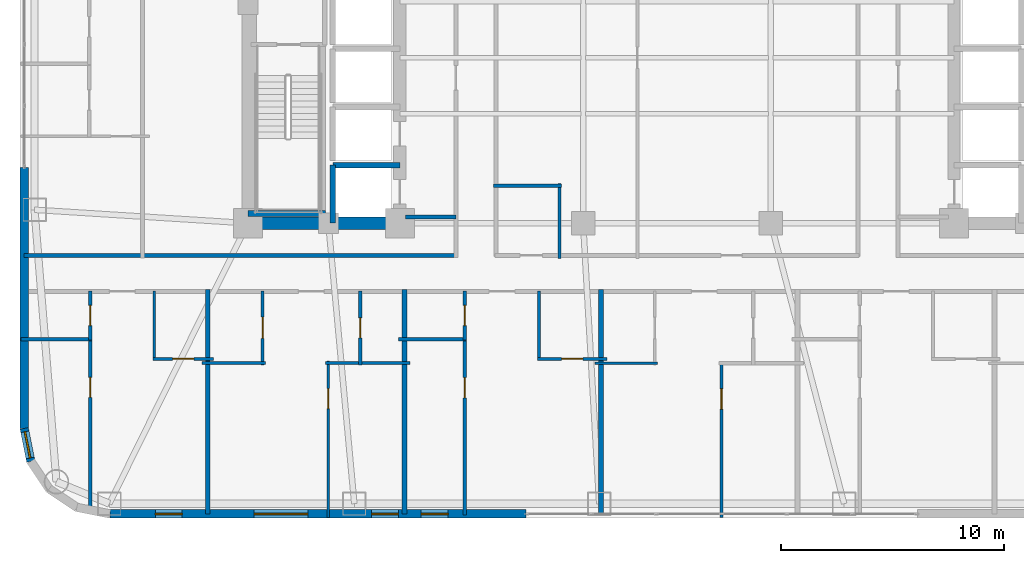
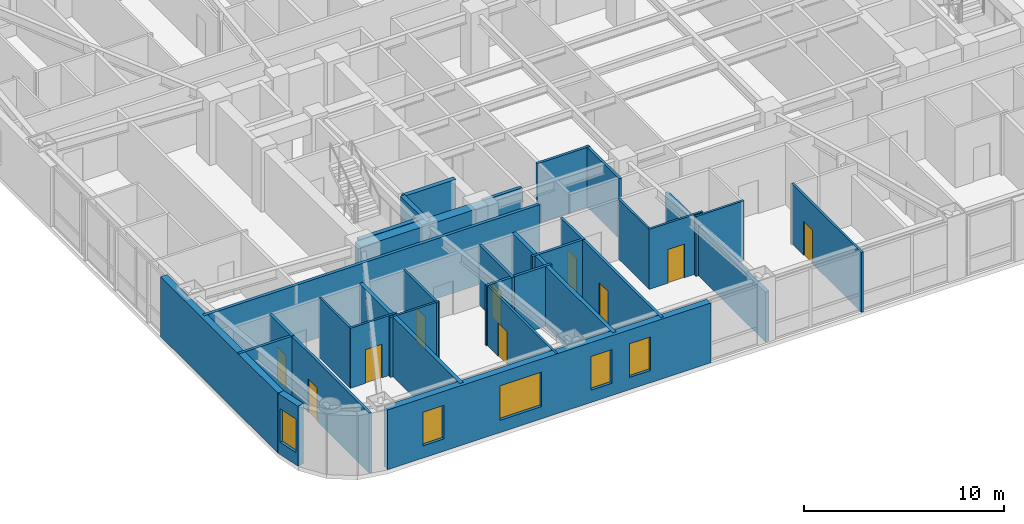
# One storey, part 20 of 28: 31 walls, 10 doors, 5 windows, 15 openings.
"""IFC4 building model written with IfcOpenShell, lengths in metres."""

from ifc_helpers import new_model, si_unit, direction, frame, frame_2d, origin, place, context, subcontext, project, spatial, rectangle, extrude, material, layer, layer_set, type_object, element, fill, save


model = new_model("IFC4")

# Units and contexts
model_context = context("Model", 3, precision=1e-05, world=origin(), true_north=direction((0.0, 1.0)))
body_context = subcontext(model_context, "Body", "Model", "MODEL_VIEW")
ifc_project = project(units=[si_unit("LENGTHUNIT", "METRE"), si_unit("AREAUNIT", "SQUARE_METRE"), si_unit("VOLUMEUNIT", "CUBIC_METRE"), si_unit("PLANEANGLEUNIT", "RADIAN"), si_unit("MASSUNIT", "GRAM", prefix="KILO")], contexts=[model_context])

# Site, building, storey
site_placement = place(None, origin())
site = spatial("IfcSite", under=ifc_project, at=site_placement, CompositionType="ELEMENT")
building_placement = place(site_placement, origin())
building = spatial("IfcBuilding", under=site, at=building_placement, Name="Voryun Gate Residences", CompositionType="ELEMENT")
storey_placement = place(building_placement, frame((0.0, 0.0, 117.0)))
storey = spatial("IfcBuildingStorey", under=building, at=storey_placement, Name="L28", CompositionType="ELEMENT", Elevation=117.0)

# Walls
ifc_material_1 = material(Name="Concrete C60/75", Category="concrete")
ifc_layer_1 = layer(ifc_material_1, 0.550048828125, Name="CW_CORE_550")
ifc_layer_set_1 = layer_set([ifc_layer_1], Name="Concrete C60/75")
wall_type_1 = type_object("IfcWallType", Name="CW_CORE_550", PredefinedType="SHEAR", material=ifc_layer_set_1)
wall_1_placement = place(storey_placement, frame((-19.47509765625, -7.39990234375, 0.0), z_axis=(0.0, 0.0, 1.0), x_axis=(1.0, 0.0, 0.0)))
element("IfcWall", 1, at=wall_1_placement, inside=storey, type_object=wall_type_1, Name="L28 Core shear wall CW-L28-WS", PredefinedType="SHEAR", context=body_context, shape_type="SweptSolid", body=[
    extrude(rectangle(XDim=7.35009765625, YDim=0.550048828125, at=frame_2d((3.675048828125, 0.0))), origin(), (0.0, 0.0, 1.0), 3.64990234375),
])
ifc_material_2 = material(Name="Gypsum acoustic fireboard")
ifc_layer_2 = layer(ifc_material_2, 0.179931640625, Name="W_CORR_RATED_180")
ifc_layer_set_2 = layer_set([ifc_layer_2], Name="Gypsum acoustic fireboard")
wall_type_2 = type_object("IfcWallType", Name="W_CORR_RATED_180", PredefinedType="PARTITIONING", material=ifc_layer_set_2)
wall_2_placement = place(storey_placement, frame((-12.14990234375, -7.1201171875, 0.0), z_axis=(0.0, 0.0, 1.0), x_axis=(1.0, 0.0, 0.0)))
element("IfcWall", 2, at=wall_2_placement, inside=storey, type_object=wall_type_2, Name="Partition wall WP-L28-PLBS-W", PredefinedType="PARTITIONING", context=body_context, shape_type="SweptSolid", body=[
    extrude(rectangle(XDim=2.27001953125, YDim=0.179931640625, at=frame_2d((1.135009765625, 0.0))), origin(), (0.0, 0.0, 1.0), 3.64990234375),
])
wall_3_placement = place(storey_placement, frame((-29.2099609375, -8.840087890625, 0.0), z_axis=(0.0, 0.0, 1.0), x_axis=(1.0, 0.0, 0.0)))
element("IfcWall", 3, at=wall_3_placement, inside=storey, type_object=wall_type_2, Name="Partition wall WP-L28-CWING-WS", PredefinedType="PARTITIONING", context=body_context, shape_type="SweptSolid", body=[
    extrude(rectangle(XDim=19.330078125, YDim=0.179931640625, at=frame_2d((9.6650390625, 0.0))), origin(), (0.0, 0.0, 1.0), 3.64990234375),
])

# Wall, openings, windows
ifc_material_3 = material(Name="Granite masonry", Category="masonry")
ifc_layer_3 = layer(ifc_material_3, 0.3798828125, Name="W_EXT_GRANITE_380")
ifc_layer_set_3 = layer_set([ifc_layer_3], Name="Granite masonry")
wall_type_3 = type_object("IfcWallType", Name="W_EXT_GRANITE_380", PredefinedType="ELEMENTEDWALL", material=ifc_layer_set_3)
wall_4_placement = place(storey_placement, frame((-6.761962890625, -20.409912109375, 0.0), z_axis=(0.0, 0.0, 1.0), x_axis=(-1.0, 0.0, 0.0)))
wall_4 = element("IfcWall", 4, at=wall_4_placement, inside=storey, type_object=wall_type_3, Name="Exterior wall WEXT-L28-01B", PredefinedType="ELEMENTEDWALL", context=body_context, shape_type="SweptSolid", body=[
    extrude(rectangle(XDim=18.619384765625, YDim=0.3798828125, at=frame_2d((9.3095703125, 0.0))), origin(), (0.0, 0.0, 1.0), 3.64990234375),
])
opening_1_placement = place(wall_4_placement, frame((9.759521484375, 0.0, 0.75)))
opening_1 = element("IfcOpeningElement", 5, at=opening_1_placement, cuts=wall_4, Name="Opening WN2", PredefinedType="OPENING", context=body_context, shape_type="SweptSolid", body=[
    extrude(rectangle(XDim=2.39990234375, YDim=2.10009765625, at=frame_2d((1.199951171875, 1.050048828125))), frame((0.0, 0.199951171875, 0.0), z_axis=(0.0, -1.0, 0.0), x_axis=(1.0, 0.0, 0.0)), (0.0, 0.0, 1.0), 0.39990234375),
])
opening_2_placement = place(wall_4_placement, frame((15.383544921875, 0.0, 0.75)))
opening_2 = element("IfcOpeningElement", 6, at=opening_2_placement, cuts=wall_4, Name="Opening WN6", PredefinedType="OPENING", context=body_context, shape_type="SweptSolid", body=[
    extrude(rectangle(XDim=1.199951171875, YDim=2.050048828125, at=frame_2d((0.60009765625, 1.02490234375))), frame((0.0, 0.199951171875, 0.0), z_axis=(0.0, -1.0, 0.0), x_axis=(1.0, 0.0, 0.0)), (0.0, 0.0, 1.0), 0.39990234375),
])
opening_3_placement = place(wall_4_placement, frame((5.702880859375, 0.0, 0.75)))
opening_3 = element("IfcOpeningElement", 7, at=opening_3_placement, cuts=wall_4, Name="Opening WN6", PredefinedType="OPENING", context=body_context, shape_type="SweptSolid", body=[
    extrude(rectangle(XDim=1.199951171875, YDim=2.050048828125, at=frame_2d((0.60009765625, 1.02490234375))), frame((0.0, 0.199951171875, 0.0), z_axis=(0.0, -1.0, 0.0), x_axis=(1.0, 0.0, 0.0)), (0.0, 0.0, 1.0), 0.39990234375),
])
opening_4_placement = place(wall_4_placement, frame((3.48291015625, 0.0, 0.75)))
opening_4 = element("IfcOpeningElement", 8, at=opening_4_placement, cuts=wall_4, Name="Opening WN6", PredefinedType="OPENING", context=body_context, shape_type="SweptSolid", body=[
    extrude(rectangle(XDim=1.199951171875, YDim=2.050048828125, at=frame_2d((0.60009765625, 1.02490234375))), frame((0.0, 0.199951171875, 0.0), z_axis=(0.0, -1.0, 0.0), x_axis=(1.0, 0.0, 0.0)), (0.0, 0.0, 1.0), 0.39990234375),
])
ifc_material_4 = material(Name="Laminated low-E glass", Category="glass")
window_type_1 = type_object("IfcWindowType", Name="WN_POD_SLOT_1200", PartitioningType="SINGLE_PANEL", PredefinedType="WINDOW", material=ifc_material_4)
window_1_placement = place(opening_2_placement, origin())
window_1 = element("IfcWindow", 9, at=window_1_placement, inside=storey, type_object=window_type_1, Name="Window WN-L28-DWFIX-12", OverallHeight=2.050048828125, OverallWidth=1.199951171875, PartitioningType="SINGLE_PANEL", PredefinedType="WINDOW", context=body_context, shape_type="SweptSolid", body=[
    extrude(rectangle(XDim=1.199951171875, YDim=2.050048828125, at=frame_2d((0.60009765625, 1.02490234375))), frame((0.0, 0.030029296875, 0.0), z_axis=(0.0, -1.0, 0.0), x_axis=(1.0, 0.0, 0.0)), (0.0, 0.0, 1.0), 0.06005859375),
])
fill(opening_2, window_1)
window_2_placement = place(opening_3_placement, origin())
window_2 = element("IfcWindow", 10, at=window_2_placement, inside=storey, type_object=window_type_1, Name="Window WN-L28-DWFIX-13", OverallHeight=2.050048828125, OverallWidth=1.199951171875, PartitioningType="SINGLE_PANEL", PredefinedType="WINDOW", context=body_context, shape_type="SweptSolid", body=[
    extrude(rectangle(XDim=1.199951171875, YDim=2.050048828125, at=frame_2d((0.60009765625, 1.02490234375))), frame((0.0, 0.030029296875, 0.0), z_axis=(0.0, -1.0, 0.0), x_axis=(1.0, 0.0, 0.0)), (0.0, 0.0, 1.0), 0.06005859375),
])
fill(opening_3, window_2)
window_3_placement = place(opening_4_placement, origin())
window_3 = element("IfcWindow", 11, at=window_3_placement, inside=storey, type_object=window_type_1, Name="Window WN-L28-DWFIX-14", OverallHeight=2.050048828125, OverallWidth=1.199951171875, PartitioningType="SINGLE_PANEL", PredefinedType="WINDOW", context=body_context, shape_type="SweptSolid", body=[
    extrude(rectangle(XDim=1.199951171875, YDim=2.050048828125, at=frame_2d((0.60009765625, 1.02490234375))), frame((0.0, 0.030029296875, 0.0), z_axis=(0.0, -1.0, 0.0), x_axis=(1.0, 0.0, 0.0)), (0.0, 0.0, 1.0), 0.06005859375),
])
fill(opening_4, window_3)
ifc_material_5 = material(Name="Laminated low-E glass", Category="glass")
window_type_2 = type_object("IfcWindowType", Name="WN_RES_WIDE_2400", PartitioningType="SINGLE_PANEL", PredefinedType="WINDOW", material=ifc_material_5)
window_4_placement = place(opening_1_placement, origin())
window_4 = element("IfcWindow", 12, at=window_4_placement, inside=storey, type_object=window_type_2, Name="Window WN-WEXT-L28-01B-01", OverallHeight=2.10009765625, OverallWidth=2.39990234375, PartitioningType="SINGLE_PANEL", PredefinedType="WINDOW", context=body_context, shape_type="SweptSolid", body=[
    extrude(rectangle(XDim=2.39990234375, YDim=2.10009765625, at=frame_2d((1.199951171875, 1.050048828125))), frame((0.0, 0.030029296875, 0.0), z_axis=(0.0, -1.0, 0.0), x_axis=(1.0, 0.0, 0.0)), (0.0, 0.0, 1.0), 0.06005859375),
])
fill(opening_1, window_4)

# Wall, opening, window
wall_5_placement = place(storey_placement, frame((-28.91650390625, -18.056640625, 0.0), z_axis=(0.0, 0.0, 1.0), x_axis=(-0.195086038585, 0.980786132421, 0.0)))
wall_5 = element("IfcWall", 13, at=wall_5_placement, inside=storey, type_object=wall_type_3, Name="Exterior wall WEXT-L28-05", PredefinedType="ELEMENTEDWALL", context=body_context, shape_type="SweptSolid", body=[
    extrude(rectangle(XDim=1.504150390625, YDim=0.3798828125, at=frame_2d((0.751953125, 0.0))), origin(), (0.0, 0.0, 1.0), 3.64990234375),
])
opening_5_placement = place(wall_5_placement, frame((0.152099609375, 0.0, 0.75)))
opening_5 = element("IfcOpeningElement", 14, at=opening_5_placement, cuts=wall_5, Name="Opening WN6", PredefinedType="OPENING", context=body_context, shape_type="SweptSolid", body=[
    extrude(rectangle(XDim=1.199951171875, YDim=2.050048828125, at=frame_2d((0.60009765625, 1.02490234375))), frame((0.0, 0.199951171875, 0.0), z_axis=(0.0, -1.0, 0.0), x_axis=(1.0, 0.0, 0.0)), (0.0, 0.0, 1.0), 0.39990234375),
])
window_5_placement = place(opening_5_placement, origin())
window_5 = element("IfcWindow", 15, at=window_5_placement, inside=storey, type_object=window_type_1, Name="Window WN-L28-DWFIX-11", OverallHeight=2.050048828125, OverallWidth=1.199951171875, PartitioningType="SINGLE_PANEL", PredefinedType="WINDOW", context=body_context, shape_type="SweptSolid", body=[
    extrude(rectangle(XDim=1.199951171875, YDim=2.050048828125, at=frame_2d((0.60009765625, 1.02490234375))), frame((0.0, 0.030029296875, 0.0), z_axis=(0.0, -1.0, 0.0), x_axis=(1.0, 0.0, 0.0)), (0.0, 0.0, 1.0), 0.06005859375),
])
fill(opening_5, window_5)

# Walls
wall_6_placement = place(storey_placement, frame((-29.2099609375, -16.581298828125, 0.0), z_axis=(0.0, 0.0, 1.0), x_axis=(0.0, 1.0, 0.0)))
element("IfcWall", 16, at=wall_6_placement, inside=storey, type_object=wall_type_3, Name="Exterior wall WEXT-L28-06A", PredefinedType="ELEMENTEDWALL", context=body_context, shape_type="SweptSolid", body=[
    extrude(rectangle(XDim=11.683349609375, YDim=0.3798828125, at=frame_2d((5.841796875, 0.0))), origin(), (0.0, 0.0, 1.0), 3.64990234375),
])
ifc_material_6 = material(Name="Concrete C40/50", Category="concrete")
ifc_layer_4 = layer(ifc_material_6, 0.219970703125, Name="W_PARTY_ACOUSTIC_220")
ifc_layer_set_4 = layer_set([ifc_layer_4], Name="Concrete C40/50")
wall_type_4 = type_object("IfcWallType", Name="W_PARTY_ACOUSTIC_220", PredefinedType="PARTITIONING", material=ifc_layer_set_4)
for number, where, z_axis, x_axis, name in (
    (17, (-21.0, -20.409912109375, 0.0), (0.0, 0.0, 1.0), (0.0, 1.0, 0.0), "Partition wall WP-L28-SPTY-1"),
    (18, (-12.199951171875, -20.409912109375, 0.0), (0.0, 0.0, 1.0), (0.0, 1.0, 0.0), "Partition wall WP-L28-SPTY-2"),
):
    element("IfcWall", number, at=place(storey_placement, frame(where, z_axis=z_axis, x_axis=x_axis)), inside=storey, type_object=wall_type_4, Name=name, PredefinedType="PARTITIONING", context=body_context, shape_type="SweptSolid", body=[
        extrude(rectangle(XDim=10.039794921875, YDim=0.219970703125, at=frame_2d((5.02001953125, 0.0))), origin(), (0.0, 0.0, 1.0), 3.64990234375),
    ])
wall_7_placement = place(storey_placement, frame((-3.39990234375, -20.409912109375, 0.0), z_axis=(0.0, 0.0, 1.0), x_axis=(0.0, 1.0, 0.0)))
element("IfcWall", 19, at=wall_7_placement, inside=storey, type_object=wall_type_4, Name="Partition wall WP-L28-SPTY-3", PredefinedType="PARTITIONING", context=body_context, shape_type="SweptSolid", body=[
    extrude(rectangle(XDim=10.039794921875, YDim=0.219970703125, at=frame_2d((5.02001953125, 0.0))), origin(), (0.0, 0.0, 1.0), 3.0400390625),
])
ifc_material_7 = material(Name="Concrete C50/60", Category="concrete")
ifc_layer_5 = layer(ifc_material_7, 0.25, Name="W_SHAFT_RC250")
ifc_layer_set_5 = layer_set([ifc_layer_5], Name="Concrete C50/60")
wall_type_5 = type_object("IfcWallType", Name="W_SHAFT_RC250", PredefinedType="SOLIDWALL", material=ifc_layer_set_5)
wall_8_placement = place(storey_placement, frame((-19.199951171875, -6.965087890625, 0.0), z_axis=(0.0, 0.0, 1.0), x_axis=(1.0, 0.0, 0.0)))
element("IfcWall", 20, at=wall_8_placement, inside=storey, type_object=wall_type_5, Name="L28 Stair shaft structural wall W-STS", PredefinedType="SOLIDWALL", context=body_context, shape_type="SweptSolid", body=[
    extrude(rectangle(XDim=3.4599609375, YDim=0.25, at=frame_2d((1.72998046875, 0.0))), origin(), (0.0, 0.0, 1.0), 3.64990234375),
])
wall_9_placement = place(storey_placement, frame((-12.39990234375, -4.800048828125, 0.0), z_axis=(0.0, 0.0, 1.0), x_axis=(-1.0, 0.0, 0.0)))
element("IfcWall", 21, at=wall_9_placement, inside=storey, type_object=wall_type_5, Name="Lift shaft wall WSH-L28-EL-P1-N", PredefinedType="SOLIDWALL", context=body_context, shape_type="SweptSolid", body=[
    extrude(rectangle(XDim=3.0, YDim=0.25, at=frame_2d((1.5, 0.0))), origin(), (0.0, 0.0, 1.0), 3.64990234375),
])
wall_10_placement = place(storey_placement, frame((-15.39990234375, -4.800048828125, 0.0), z_axis=(0.0, 0.0, 1.0), x_axis=(0.0, -1.0, 0.0)))
element("IfcWall", 22, at=wall_10_placement, inside=storey, type_object=wall_type_5, Name="Lift shaft wall WSH-L28-EL-P1-W", PredefinedType="SOLIDWALL", context=body_context, shape_type="SweptSolid", body=[
    extrude(rectangle(XDim=2.599853515625, YDim=0.25, at=frame_2d((1.2998046875, 0.0))), origin(), (0.0, 0.0, 1.0), 3.64990234375),
])

# Wall, opening, door
ifc_material_8 = material(Name="Gypsum acoustic partition")
ifc_layer_6 = layer(ifc_material_8, 0.125, Name="W_UNIT_PART_125")
ifc_layer_set_6 = layer_set([ifc_layer_6], Name="Gypsum acoustic partition")
wall_type_6 = type_object("IfcWallType", Name="W_UNIT_PART_125", PredefinedType="PARTITIONING", material=ifc_layer_set_6)
wall_11_placement = place(storey_placement, frame((-23.455078125, -13.469970703125, 0.0), z_axis=(0.0, 0.0, 1.0), x_axis=(1.0, 0.0, 0.0)))
wall_11 = element("IfcWall", 23, at=wall_11_placement, inside=storey, type_object=wall_type_6, Name="Partition wall WP-L28-S1-KHY", PredefinedType="PARTITIONING", context=body_context, shape_type="SweptSolid", body=[
    extrude(rectangle(XDim=2.715087890625, YDim=0.125, at=frame_2d((1.357421875, 0.0))), origin(), (0.0, 0.0, 1.0), 3.64990234375),
])
opening_6_placement = place(wall_11_placement, frame((0.882568359375, 0.0, 0.0)))
opening_6 = element("IfcOpeningElement", 24, at=opening_6_placement, cuts=wall_11, Name="Opening D-INT-1", PredefinedType="OPENING", context=body_context, shape_type="SweptSolid", body=[
    extrude(rectangle(XDim=0.949951171875, YDim=2.050048828125, at=frame_2d((0.47509765625, 1.02490234375))), frame((0.0, 0.072509765625, 0.0), z_axis=(0.0, -1.0, 0.0), x_axis=(1.0, 0.0, 0.0)), (0.0, 0.0, 1.0), 0.14501953125),
])
ifc_material_9 = material(Name="Architectural oak veneer")
door_type_1 = type_object("IfcDoorType", Name="DR_INT_ROOM_950", OperationType="NOTDEFINED", PredefinedType="DOOR", material=ifc_material_9)
door_1_placement = place(opening_6_placement, origin())
door_1 = element("IfcDoor", 25, at=door_1_placement, inside=storey, type_object=door_type_1, Name="Door DR-L28-S1-DK", OperationType="SINGLE_SWING_LEFT", OverallHeight=2.050048828125, OverallWidth=0.949951171875, PredefinedType="DOOR", context=body_context, shape_type="SweptSolid", body=[
    extrude(rectangle(XDim=0.949951171875, YDim=2.050048828125, at=frame_2d((0.47509765625, 1.02490234375))), frame((0.0, 0.02490234375, 0.0), z_axis=(0.0, -1.0, 0.0), x_axis=(1.0, 0.0, 0.0)), (0.0, 0.0, 1.0), 0.050048828125),
])
fill(opening_6, door_1)

# Wall
wall_12_placement = place(storey_placement, frame((-23.39501953125, -13.530029296875, 0.0), z_axis=(0.0, 0.0, 1.0), x_axis=(0.0, 1.0, 0.0)))
element("IfcWall", 26, at=wall_12_placement, inside=storey, type_object=wall_type_6, Name="Partition wall WP-L28-S1-KVX", PredefinedType="PARTITIONING", context=body_context, shape_type="SweptSolid", body=[
    extrude(rectangle(XDim=3.10009765625, YDim=0.125, at=frame_2d((1.550048828125, 0.0))), origin(), (0.0, 0.0, 1.0), 3.64990234375),
])

# Wall, opening, door
wall_13_placement = place(storey_placement, frame((-15.610107421875, -20.56005859375, 0.0), z_axis=(0.0, 0.0, 1.0), x_axis=(0.0, 1.0, 0.0)))
wall_13 = element("IfcWall", 27, at=wall_13_placement, inside=storey, type_object=wall_type_6, Name="Partition wall WP-L28-S2-OVR", PredefinedType="PARTITIONING", context=body_context, shape_type="SweptSolid", body=[
    extrude(rectangle(XDim=6.987060546875, YDim=0.125, at=frame_2d((3.49365234375, 0.0))), origin(), (0.0, 0.0, 1.0), 3.64990234375),
])
opening_7_placement = place(wall_13_placement, frame((4.860107421875, 0.0, 0.0)))
opening_7 = element("IfcOpeningElement", 28, at=opening_7_placement, cuts=wall_13, Name="Opening D-INT-2", PredefinedType="OPENING", context=body_context, shape_type="SweptSolid", body=[
    extrude(rectangle(XDim=0.89990234375, YDim=2.050048828125, at=frame_2d((0.449951171875, 1.02490234375))), frame((0.0, 0.072509765625, 0.0), z_axis=(0.0, -1.0, 0.0), x_axis=(1.0, 0.0, 0.0)), (0.0, 0.0, 1.0), 0.14501953125),
])
ifc_material_10 = material(Name="Architectural oak veneer")
door_type_2 = type_object("IfcDoorType", Name="DR_INT_BATH_900", OperationType="NOTDEFINED", PredefinedType="DOOR", material=ifc_material_10)
door_2_placement = place(opening_7_placement, origin())
door_2 = element("IfcDoor", 29, at=door_2_placement, inside=storey, type_object=door_type_2, Name="Door DR-L28-S2-DMB", OperationType="SINGLE_SWING_RIGHT", OverallHeight=2.050048828125, OverallWidth=0.89990234375, PredefinedType="DOOR", context=body_context, shape_type="SweptSolid", body=[
    extrude(rectangle(XDim=0.89990234375, YDim=2.050048828125, at=frame_2d((0.449951171875, 1.02490234375))), frame((0.0, 0.02490234375, 0.0), z_axis=(0.0, -1.0, 0.0), x_axis=(1.0, 0.0, 0.0)), (0.0, 0.0, 1.0), 0.050048828125),
])
fill(opening_7, door_2)

wall_14_placement = place(storey_placement, frame((-18.5439453125, -13.73291015625, 0.0), z_axis=(0.0, 0.0, 1.0), x_axis=(0.0, 1.0, 0.0)))
wall_14 = element("IfcWall", 30, at=wall_14_placement, inside=storey, type_object=wall_type_6, Name="Partition wall WP-L28-S2-IVK", PredefinedType="PARTITIONING", context=body_context, shape_type="SweptSolid", body=[
    extrude(rectangle(XDim=3.302978515625, YDim=0.125, at=frame_2d((1.6513671875, 0.0))), origin(), (0.0, 0.0, 1.0), 3.64990234375),
])
opening_8_placement = place(wall_14_placement, frame((1.176513671875, 0.0, 0.0)))
opening_8 = element("IfcOpeningElement", 31, at=opening_8_placement, cuts=wall_14, Name="Opening D-INT-1", PredefinedType="OPENING", context=body_context, shape_type="SweptSolid", body=[
    extrude(rectangle(XDim=0.949951171875, YDim=2.050048828125, at=frame_2d((0.47509765625, 1.02490234375))), frame((0.0, 0.072509765625, 0.0), z_axis=(0.0, -1.0, 0.0), x_axis=(1.0, 0.0, 0.0)), (0.0, 0.0, 1.0), 0.14501953125),
])
door_3_placement = place(opening_8_placement, origin())
door_3 = element("IfcDoor", 32, at=door_3_placement, inside=storey, type_object=door_type_1, Name="Door DR-L28-S2-DK", OperationType="SINGLE_SWING_LEFT", OverallHeight=2.050048828125, OverallWidth=0.949951171875, PredefinedType="DOOR", context=body_context, shape_type="SweptSolid", body=[
    extrude(rectangle(XDim=0.949951171875, YDim=2.050048828125, at=frame_2d((0.47509765625, 1.02490234375))), frame((0.0, 0.02490234375, 0.0), z_axis=(0.0, -1.0, 0.0), x_axis=(1.0, 0.0, 0.0)), (0.0, 0.0, 1.0), 0.050048828125),
])
fill(opening_8, door_3)

# Wall
wall_15_placement = place(storey_placement, frame((-21.260009765625, -13.653076171875, 0.0), z_axis=(0.0, 0.0, 1.0), x_axis=(1.0, 0.0, 0.0)))
element("IfcWall", 33, at=wall_15_placement, inside=storey, type_object=wall_type_6, Name="Partition wall WP-L28-S2-HZK", PredefinedType="PARTITIONING", context=body_context, shape_type="SweptSolid", body=[
    extrude(rectangle(XDim=2.8359375, YDim=0.125, at=frame_2d((1.41796875, 0.0))), origin(), (0.0, 0.0, 1.0), 3.64990234375),
])

# Wall, opening, door
wall_16_placement = place(storey_placement, frame((-6.23291015625, -13.469970703125, 0.0), z_axis=(0.0, 0.0, 1.0), x_axis=(1.0, 0.0, 0.0)))
wall_16 = element("IfcWall", 34, at=wall_16_placement, inside=storey, type_object=wall_type_6, Name="Partition wall WP-L28-S3-KHY", PredefinedType="PARTITIONING", context=body_context, shape_type="SweptSolid", body=[
    extrude(rectangle(XDim=3.093017578125, YDim=0.125, at=frame_2d((1.54638671875, 0.0))), origin(), (0.0, 0.0, 1.0), 3.64990234375),
])
opening_9_placement = place(wall_16_placement, frame((1.071533203125, 0.0, 0.0)))
opening_9 = element("IfcOpeningElement", 35, at=opening_9_placement, cuts=wall_16, Name="Opening D-INT-1", PredefinedType="OPENING", context=body_context, shape_type="SweptSolid", body=[
    extrude(rectangle(XDim=0.949951171875, YDim=2.050048828125, at=frame_2d((0.47509765625, 1.02490234375))), frame((0.0, 0.072509765625, 0.0), z_axis=(0.0, -1.0, 0.0), x_axis=(1.0, 0.0, 0.0)), (0.0, 0.0, 1.0), 0.14501953125),
])
door_4_placement = place(opening_9_placement, origin())
door_4 = element("IfcDoor", 36, at=door_4_placement, inside=storey, type_object=door_type_1, Name="Door DR-L28-S3-DK", OperationType="SINGLE_SWING_LEFT", OverallHeight=2.050048828125, OverallWidth=0.949951171875, PredefinedType="DOOR", context=body_context, shape_type="SweptSolid", body=[
    extrude(rectangle(XDim=0.949951171875, YDim=2.050048828125, at=frame_2d((0.47509765625, 1.02490234375))), frame((0.0, 0.02490234375, 0.0), z_axis=(0.0, -1.0, 0.0), x_axis=(1.0, 0.0, 0.0)), (0.0, 0.0, 1.0), 0.050048828125),
])
fill(opening_9, door_4)

# Wall
wall_17_placement = place(storey_placement, frame((-6.173095703125, -13.530029296875, 0.0), z_axis=(0.0, 0.0, 1.0), x_axis=(0.0, 1.0, 0.0)))
element("IfcWall", 37, at=wall_17_placement, inside=storey, type_object=wall_type_6, Name="Partition wall WP-L28-S3-KVX", PredefinedType="PARTITIONING", context=body_context, shape_type="SweptSolid", body=[
    extrude(rectangle(XDim=3.10009765625, YDim=0.125, at=frame_2d((1.550048828125, 0.0))), origin(), (0.0, 0.0, 1.0), 3.64990234375),
])

# Wall, opening, door
wall_18_placement = place(storey_placement, frame((1.989990234375, -20.56005859375, 0.0), z_axis=(0.0, 0.0, 1.0), x_axis=(0.0, 1.0, 0.0)))
wall_18 = element("IfcWall", 38, at=wall_18_placement, inside=storey, type_object=wall_type_6, Name="Partition wall WP-L28-S4-OVR", PredefinedType="PARTITIONING", context=body_context, shape_type="SweptSolid", body=[
    extrude(rectangle(XDim=6.969970703125, YDim=0.125, at=frame_2d((3.48486328125, 0.0))), origin(), (0.0, 0.0, 1.0), 3.64990234375),
])
opening_10_placement = place(wall_18_placement, frame((4.84716796875, 0.0, 0.0)))
opening_10 = element("IfcOpeningElement", 39, at=opening_10_placement, cuts=wall_18, Name="Opening D-INT-2", PredefinedType="OPENING", context=body_context, shape_type="SweptSolid", body=[
    extrude(rectangle(XDim=0.89990234375, YDim=2.050048828125, at=frame_2d((0.449951171875, 1.02490234375))), frame((0.0, 0.072509765625, 0.0), z_axis=(0.0, -1.0, 0.0), x_axis=(1.0, 0.0, 0.0)), (0.0, 0.0, 1.0), 0.14501953125),
])
door_5_placement = place(opening_10_placement, origin())
door_5 = element("IfcDoor", 40, at=door_5_placement, inside=storey, type_object=door_type_2, Name="Door DR-L28-S4-DMB", OperationType="SINGLE_SWING_RIGHT", OverallHeight=2.050048828125, OverallWidth=0.89990234375, PredefinedType="DOOR", context=body_context, shape_type="SweptSolid", body=[
    extrude(rectangle(XDim=0.89990234375, YDim=2.050048828125, at=frame_2d((0.449951171875, 1.02490234375))), frame((0.0, 0.02490234375, 0.0), z_axis=(0.0, -1.0, 0.0), x_axis=(1.0, 0.0, 0.0)), (0.0, 0.0, 1.0), 0.050048828125),
])
fill(opening_10, door_5)

# Walls
wall_19_placement = place(storey_placement, frame((-3.659912109375, -13.669921875, 0.0), z_axis=(0.0, 0.0, 1.0), x_axis=(1.0, 0.0, 0.0)))
element("IfcWall", 41, at=wall_19_placement, inside=storey, type_object=wall_type_6, Name="Partition wall WP-L28-S4-HZK", PredefinedType="PARTITIONING", context=body_context, shape_type="SweptSolid", body=[
    extrude(rectangle(XDim=2.783935546875, YDim=0.125, at=frame_2d((1.39208984375, 0.0))), origin(), (0.0, 0.0, 1.0), 3.64990234375),
])
ifc_material_11 = material(Name="Gypsum moisture-resistant partition")
ifc_layer_7 = layer(ifc_material_11, 0.14990234375, Name="W_WET_PLUMB_150")
ifc_layer_set_7 = layer_set([ifc_layer_7], Name="Gypsum moisture-resistant partition")
wall_type_7 = type_object("IfcWallType", Name="W_WET_PLUMB_150", PredefinedType="PLUMBINGWALL", material=ifc_layer_set_7)
wall_20_placement = place(storey_placement, frame((-5.260009765625, -8.969970703125, 0.0), z_axis=(0.0, 0.0, 1.0), x_axis=(0.0, 1.0, 0.0)))
element("IfcWall", 42, at=wall_20_placement, inside=storey, type_object=wall_type_7, Name="Partition wall WP-L28-CMWCX", PredefinedType="PLUMBINGWALL", context=body_context, shape_type="SweptSolid", body=[
    extrude(rectangle(XDim=3.349853515625, YDim=0.14990234375, at=frame_2d((1.6748046875, 0.0))), origin(), (0.0, 0.0, 1.0), 3.64990234375),
])
wall_21_placement = place(storey_placement, frame((-8.2099609375, -5.719970703125, 0.0), z_axis=(0.0, 0.0, 1.0), x_axis=(1.0, 0.0, 0.0)))
element("IfcWall", 43, at=wall_21_placement, inside=storey, type_object=wall_type_7, Name="Partition wall WP-L28-CMWCY", PredefinedType="PLUMBINGWALL", context=body_context, shape_type="SweptSolid", body=[
    extrude(rectangle(XDim=3.050048828125, YDim=0.14990234375, at=frame_2d((1.52490234375, 0.0))), origin(), (0.0, 0.0, 1.0), 3.64990234375),
])
wall_22_placement = place(storey_placement, frame((-29.360107421875, -12.590087890625, 0.0), z_axis=(0.0, 0.0, 1.0), x_axis=(1.0, 0.0, 0.0)))
element("IfcWall", 44, at=wall_22_placement, inside=storey, type_object=wall_type_7, Name="Partition wall WP-L28-S1-LHY", PredefinedType="PLUMBINGWALL", context=body_context, shape_type="SweptSolid", body=[
    extrude(rectangle(XDim=3.191162109375, YDim=0.14990234375, at=frame_2d((1.595703125, 0.0))), origin(), (0.0, 0.0, 1.0), 3.64990234375),
])

# Wall, opening, door
wall_23_placement = place(storey_placement, frame((-26.2490234375, -20.390380859375, 0.0), z_axis=(0.0, 0.0, 1.0), x_axis=(0.0, 1.0, 0.0)))
wall_23 = element("IfcWall", 45, at=wall_23_placement, inside=storey, type_object=wall_type_7, Name="Partition wall WP-L28-S1-LVX1", PredefinedType="PLUMBINGWALL", context=body_context, shape_type="SweptSolid", body=[
    extrude(rectangle(XDim=7.84033203125, YDim=0.14990234375, at=frame_2d((3.920166015625, 0.0))), origin(), (0.0, 0.0, 1.0), 3.64990234375),
])
opening_11_placement = place(wall_23_placement, frame((5.195068359375, 0.0, 0.0)))
opening_11 = element("IfcOpeningElement", 46, at=opening_11_placement, cuts=wall_23, Name="Opening D-INT-2", PredefinedType="OPENING", context=body_context, shape_type="SweptSolid", body=[
    extrude(rectangle(XDim=0.89990234375, YDim=2.050048828125, at=frame_2d((0.449951171875, 1.02490234375))), frame((0.0, 0.0849609375, 0.0), z_axis=(0.0, -1.0, 0.0), x_axis=(1.0, 0.0, 0.0)), (0.0, 0.0, 1.0), 0.169921875),
])
door_6_placement = place(opening_11_placement, origin())
door_6 = element("IfcDoor", 47, at=door_6_placement, inside=storey, type_object=door_type_2, Name="Door DR-L28-S1-DMB", OperationType="SINGLE_SWING_LEFT", OverallHeight=2.050048828125, OverallWidth=0.89990234375, PredefinedType="DOOR", context=body_context, shape_type="SweptSolid", body=[
    extrude(rectangle(XDim=0.89990234375, YDim=2.050048828125, at=frame_2d((0.449951171875, 1.02490234375))), frame((0.0, 0.02490234375, 0.0), z_axis=(0.0, -1.0, 0.0), x_axis=(1.0, 0.0, 0.0)), (0.0, 0.0, 1.0), 0.050048828125),
])
fill(opening_11, door_6)

wall_24_placement = place(storey_placement, frame((-26.2490234375, -12.6298828125, 0.0), z_axis=(0.0, 0.0, 1.0), x_axis=(0.0, 1.0, 0.0)))
wall_24 = element("IfcWall", 48, at=wall_24_placement, inside=storey, type_object=wall_type_7, Name="Partition wall WP-L28-S1-LVX2", PredefinedType="PLUMBINGWALL", context=body_context, shape_type="SweptSolid", body=[
    extrude(rectangle(XDim=2.199951171875, YDim=0.14990234375, at=frame_2d((1.10009765625, 0.0))), origin(), (0.0, 0.0, 1.0), 3.64990234375),
])
opening_12_placement = place(wall_24_placement, frame((0.64990234375, 0.0, 0.0)))
opening_12 = element("IfcOpeningElement", 49, at=opening_12_placement, cuts=wall_24, Name="Opening D-INT-2", PredefinedType="OPENING", context=body_context, shape_type="SweptSolid", body=[
    extrude(rectangle(XDim=0.89990234375, YDim=2.050048828125, at=frame_2d((0.449951171875, 1.02490234375))), frame((0.0, 0.0849609375, 0.0), z_axis=(0.0, -1.0, 0.0), x_axis=(1.0, 0.0, 0.0)), (0.0, 0.0, 1.0), 0.169921875),
])
door_7_placement = place(opening_12_placement, origin())
door_7 = element("IfcDoor", 50, at=door_7_placement, inside=storey, type_object=door_type_2, Name="Door DR-L28-S1-DB", OperationType="SINGLE_SWING_RIGHT", OverallHeight=2.050048828125, OverallWidth=0.89990234375, PredefinedType="DOOR", context=body_context, shape_type="SweptSolid", body=[
    extrude(rectangle(XDim=0.89990234375, YDim=2.050048828125, at=frame_2d((0.449951171875, 1.02490234375))), frame((0.0, 0.02490234375, 0.0), z_axis=(0.0, -1.0, 0.0), x_axis=(1.0, 0.0, 0.0)), (0.0, 0.0, 1.0), 0.050048828125),
])
fill(opening_12, door_7)

# Wall
wall_25_placement = place(storey_placement, frame((-15.72998046875, -13.653076171875, 0.0), z_axis=(0.0, 0.0, 1.0), x_axis=(1.0, 0.0, 0.0)))
element("IfcWall", 51, at=wall_25_placement, inside=storey, type_object=wall_type_7, Name="Partition wall WP-L28-S2-HZB", PredefinedType="PLUMBINGWALL", context=body_context, shape_type="SweptSolid", body=[
    extrude(rectangle(XDim=3.7900390625, YDim=0.14990234375, at=frame_2d((1.89501953125, 0.0))), origin(), (0.0, 0.0, 1.0), 3.64990234375),
])

# Wall, opening, door
wall_26_placement = place(storey_placement, frame((-14.179931640625, -13.73291015625, 0.0), z_axis=(0.0, 0.0, 1.0), x_axis=(0.0, 1.0, 0.0)))
wall_26 = element("IfcWall", 52, at=wall_26_placement, inside=storey, type_object=wall_type_7, Name="Partition wall WP-L28-S2-IVB", PredefinedType="PLUMBINGWALL", context=body_context, shape_type="SweptSolid", body=[
    extrude(rectangle(XDim=3.302978515625, YDim=0.14990234375, at=frame_2d((1.6513671875, 0.0))), origin(), (0.0, 0.0, 1.0), 3.64990234375),
])
opening_13_placement = place(wall_26_placement, frame((1.201416015625, 0.0, 0.0)))
opening_13 = element("IfcOpeningElement", 53, at=opening_13_placement, cuts=wall_26, Name="Opening D-INT-2", PredefinedType="OPENING", context=body_context, shape_type="SweptSolid", body=[
    extrude(rectangle(XDim=0.89990234375, YDim=2.050048828125, at=frame_2d((0.449951171875, 1.02490234375))), frame((0.0, 0.0849609375, 0.0), z_axis=(0.0, -1.0, 0.0), x_axis=(1.0, 0.0, 0.0)), (0.0, 0.0, 1.0), 0.169921875),
])
door_8_placement = place(opening_13_placement, origin())
door_8 = element("IfcDoor", 54, at=door_8_placement, inside=storey, type_object=door_type_2, Name="Door DR-L28-S2-DB", OperationType="SINGLE_SWING_RIGHT", OverallHeight=2.050048828125, OverallWidth=0.89990234375, PredefinedType="DOOR", context=body_context, shape_type="SweptSolid", body=[
    extrude(rectangle(XDim=0.89990234375, YDim=2.050048828125, at=frame_2d((0.449951171875, 1.02490234375))), frame((0.0, 0.02490234375, 0.0), z_axis=(0.0, -1.0, 0.0), x_axis=(1.0, 0.0, 0.0)), (0.0, 0.0, 1.0), 0.050048828125),
])
fill(opening_13, door_8)

# Wall
wall_27_placement = place(storey_placement, frame((-12.4599609375, -12.590087890625, 0.0), z_axis=(0.0, 0.0, 1.0), x_axis=(1.0, 0.0, 0.0)))
element("IfcWall", 55, at=wall_27_placement, inside=storey, type_object=wall_type_7, Name="Partition wall WP-L28-S3-LHY", PredefinedType="PLUMBINGWALL", context=body_context, shape_type="SweptSolid", body=[
    extrude(rectangle(XDim=3.050048828125, YDim=0.14990234375, at=frame_2d((1.52490234375, 0.0))), origin(), (0.0, 0.0, 1.0), 3.64990234375),
])

# Wall, opening, door
wall_28_placement = place(storey_placement, frame((-9.489990234375, -20.45751953125, 0.0), z_axis=(0.0, 0.0, 1.0), x_axis=(0.0, 1.0, 0.0)))
wall_28 = element("IfcWall", 56, at=wall_28_placement, inside=storey, type_object=wall_type_7, Name="Partition wall WP-L28-S3-LVX1", PredefinedType="PLUMBINGWALL", context=body_context, shape_type="SweptSolid", body=[
    extrude(rectangle(XDim=7.907470703125, YDim=0.14990234375, at=frame_2d((3.95361328125, 0.0))), origin(), (0.0, 0.0, 1.0), 3.64990234375),
])
opening_14_placement = place(wall_28_placement, frame((5.243408203125, 0.0, 0.0)))
opening_14 = element("IfcOpeningElement", 57, at=opening_14_placement, cuts=wall_28, Name="Opening D-INT-2", PredefinedType="OPENING", context=body_context, shape_type="SweptSolid", body=[
    extrude(rectangle(XDim=0.89990234375, YDim=2.050048828125, at=frame_2d((0.449951171875, 1.02490234375))), frame((0.0, 0.0849609375, 0.0), z_axis=(0.0, -1.0, 0.0), x_axis=(1.0, 0.0, 0.0)), (0.0, 0.0, 1.0), 0.169921875),
])
door_9_placement = place(opening_14_placement, origin())
door_9 = element("IfcDoor", 58, at=door_9_placement, inside=storey, type_object=door_type_2, Name="Door DR-L28-S3-DMB", OperationType="SINGLE_SWING_LEFT", OverallHeight=2.050048828125, OverallWidth=0.89990234375, PredefinedType="DOOR", context=body_context, shape_type="SweptSolid", body=[
    extrude(rectangle(XDim=0.89990234375, YDim=2.050048828125, at=frame_2d((0.449951171875, 1.02490234375))), frame((0.0, 0.02490234375, 0.0), z_axis=(0.0, -1.0, 0.0), x_axis=(1.0, 0.0, 0.0)), (0.0, 0.0, 1.0), 0.050048828125),
])
fill(opening_14, door_9)

wall_29_placement = place(storey_placement, frame((-9.489990234375, -12.6298828125, 0.0), z_axis=(0.0, 0.0, 1.0), x_axis=(0.0, 1.0, 0.0)))
wall_29 = element("IfcWall", 59, at=wall_29_placement, inside=storey, type_object=wall_type_7, Name="Partition wall WP-L28-S3-LVX2", PredefinedType="PLUMBINGWALL", context=body_context, shape_type="SweptSolid", body=[
    extrude(rectangle(XDim=2.199951171875, YDim=0.14990234375, at=frame_2d((1.10009765625, 0.0))), origin(), (0.0, 0.0, 1.0), 3.64990234375),
])
opening_15_placement = place(wall_29_placement, frame((0.64990234375, 0.0, 0.0)))
opening_15 = element("IfcOpeningElement", 60, at=opening_15_placement, cuts=wall_29, Name="Opening D-INT-2", PredefinedType="OPENING", context=body_context, shape_type="SweptSolid", body=[
    extrude(rectangle(XDim=0.89990234375, YDim=2.050048828125, at=frame_2d((0.449951171875, 1.02490234375))), frame((0.0, 0.0849609375, 0.0), z_axis=(0.0, -1.0, 0.0), x_axis=(1.0, 0.0, 0.0)), (0.0, 0.0, 1.0), 0.169921875),
])
door_10_placement = place(opening_15_placement, origin())
door_10 = element("IfcDoor", 61, at=door_10_placement, inside=storey, type_object=door_type_2, Name="Door DR-L28-S3-DB", OperationType="SINGLE_SWING_RIGHT", OverallHeight=2.050048828125, OverallWidth=0.89990234375, PredefinedType="DOOR", context=body_context, shape_type="SweptSolid", body=[
    extrude(rectangle(XDim=0.89990234375, YDim=2.050048828125, at=frame_2d((0.449951171875, 1.02490234375))), frame((0.0, 0.02490234375, 0.0), z_axis=(0.0, -1.0, 0.0), x_axis=(1.0, 0.0, 0.0)), (0.0, 0.0, 1.0), 0.050048828125),
])
fill(opening_15, door_10)

save(model, "model.ifc")
